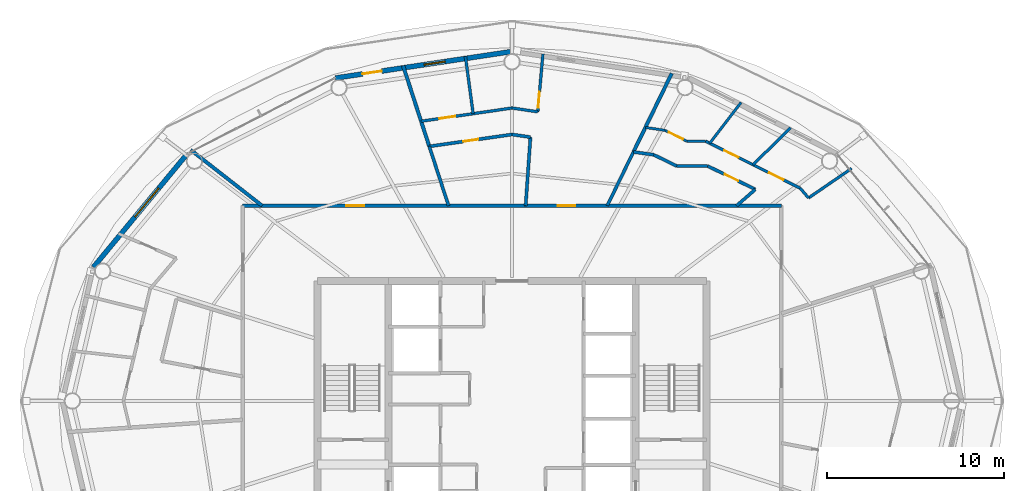
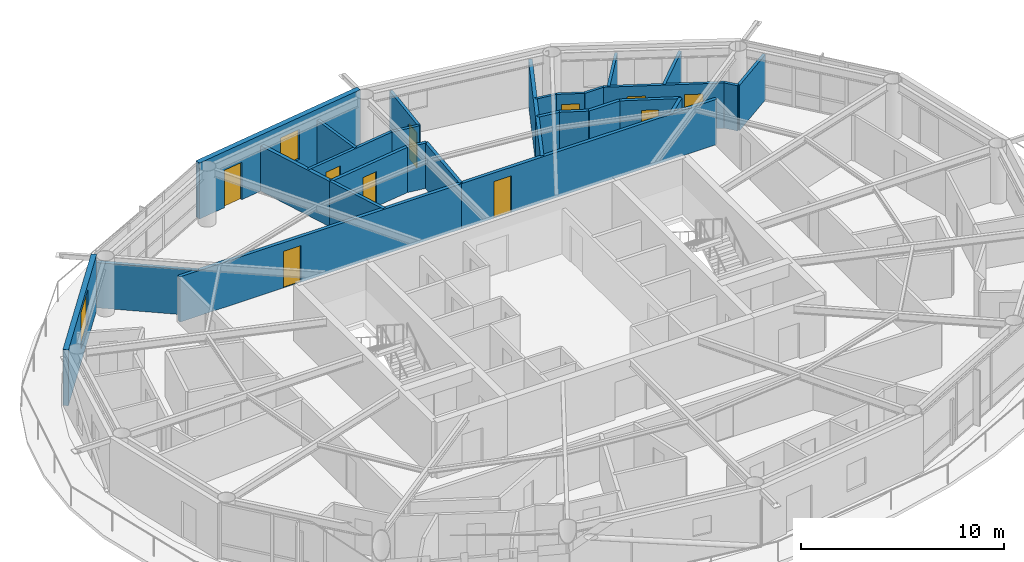
# One storey, part 19 of 23: 29 walls, 10 doors, 2 windows, 12 openings.
"""IFC4 building model written with IfcOpenShell, lengths in metres."""

from ifc_helpers import new_model, si_unit, direction, frame, frame_2d, origin, place, context, subcontext, project, spatial, rectangle, extrude, material, layer, layer_set, type_object, element, fill, save


model = new_model("IFC4")

# Units and contexts
model_context = context("Model", 3, precision=1e-05, world=origin(), true_north=direction((0.0, 1.0)))
body_context = subcontext(model_context, "Body", "Model", "MODEL_VIEW")
ifc_project = project(units=[si_unit("LENGTHUNIT", "METRE"), si_unit("AREAUNIT", "SQUARE_METRE"), si_unit("VOLUMEUNIT", "CUBIC_METRE"), si_unit("PLANEANGLEUNIT", "RADIAN"), si_unit("MASSUNIT", "GRAM", prefix="KILO")], contexts=[model_context])

# Site, building, storey
site_placement = place(None, origin())
site = spatial("IfcSite", under=ifc_project, at=site_placement, CompositionType="ELEMENT")
building_placement = place(site_placement, origin())
building = spatial("IfcBuilding", under=site, at=building_placement, Name="Sarneth Arch Tower", CompositionType="ELEMENT")
storey_placement = place(building_placement, frame((0.0, 0.0, 224.39990234375)))
storey = spatial("IfcBuildingStorey", under=building, at=storey_placement, Name="L57", CompositionType="ELEMENT", Elevation=224.39990234375)

# Wall, opening, door
ifc_material_1 = material(Name="Double steel-stud corridor fire wall", Category="steel")
ifc_layer_1 = layer(ifc_material_1, 0.18994140625)
ifc_layer_set_1 = layer_set([ifc_layer_1], Name="Double steel-stud corridor fire wall")
wall_type_1 = type_object("IfcWallType", Name="WALL-CORR-190", PredefinedType="PARTITIONING", material=ifc_layer_set_1)
wall_1_placement = place(storey_placement, frame((32.75, 53.050048828125, 0.0), z_axis=(0.0, 0.0, 1.0), x_axis=(1.0, 0.0, 0.0)))
wall_1 = element("IfcWall", 1, at=wall_1_placement, inside=storey, type_object=wall_type_1, Name="L57 Interior partition W-L57-TP-006", PredefinedType="PARTITIONING", context=body_context, shape_type="SweptSolid", body=[
    extrude(rectangle(XDim=16.0546875, YDim=0.18994140625, at=frame_2d((8.02734375, 0.0))), origin(), (0.0, 0.0, 1.0), 2.72021484375),
])
opening_1_placement = place(wall_1_placement, frame((5.8740234375, 0.0, 0.0)))
opening_1 = element("IfcOpeningElement", 2, at=opening_1_placement, cuts=wall_1, Name="Opening FD-08", PredefinedType="OPENING", context=body_context, shape_type="SweptSolid", body=[
    extrude(rectangle(XDim=1.0, YDim=2.199951171875, at=frame_2d((0.5, 1.10009765625))), frame((0.0, 0.10498046875, 0.0), z_axis=(0.0, -1.0, 0.0), x_axis=(1.0, 0.0, 0.0)), (0.0, 0.0, 1.0), 0.2099609375),
])
ifc_material_2 = material(Name="Hardwood timber acoustic fire door", Category="wood")
door_type_1 = type_object("IfcDoorType", Name="DR-FD60-1000", OperationType="SINGLE_SWING_LEFT", PredefinedType="DOOR", material=ifc_material_2)
door_1_placement = place(opening_1_placement, origin())
door_1 = element("IfcDoor", 3, at=door_1_placement, inside=storey, type_object=door_type_1, Name="L57 Interior door DR-L57-RAMN-03", OperationType="SINGLE_SWING_RIGHT", OverallHeight=2.199951171875, OverallWidth=1.0, PredefinedType="DOOR", context=body_context, shape_type="SweptSolid", body=[
    extrude(rectangle(XDim=1.0, YDim=2.199951171875, at=frame_2d((0.5, 1.10009765625))), frame((0.0, 0.02490234375, 0.0), z_axis=(0.0, -1.0, 0.0), x_axis=(1.0, 0.0, 0.0)), (0.0, 0.0, 1.0), 0.050048828125),
])
fill(opening_1, door_1)

wall_2_placement = place(storey_placement, frame((48.740478515625, 53.050048828125, 0.0), z_axis=(0.0, 0.0, 1.0), x_axis=(1.0, 0.0, 0.0)))
wall_2 = element("IfcWall", 4, at=wall_2_placement, inside=storey, type_object=wall_type_1, Name="L57 Interior partition W-L57-TP-003", PredefinedType="PARTITIONING", context=body_context, shape_type="SweptSolid", body=[
    extrude(rectangle(XDim=14.509521484375, YDim=0.18994140625, at=frame_2d((7.2548828125, 0.0))), origin(), (0.0, 0.0, 1.0), 2.72021484375),
])
opening_2_placement = place(wall_2_placement, frame((1.84228515625, 0.0, 0.0)))
opening_2 = element("IfcOpeningElement", 5, at=opening_2_placement, cuts=wall_2, Name="Opening FD-08", PredefinedType="OPENING", context=body_context, shape_type="SweptSolid", body=[
    extrude(rectangle(XDim=1.0, YDim=2.199951171875, at=frame_2d((0.5, 1.10009765625))), frame((0.0, 0.10498046875, 0.0), z_axis=(0.0, -1.0, 0.0), x_axis=(1.0, 0.0, 0.0)), (0.0, 0.0, 1.0), 0.2099609375),
])
door_2_placement = place(opening_2_placement, origin())
door_2 = element("IfcDoor", 6, at=door_2_placement, inside=storey, type_object=door_type_1, Name="L57 Interior door DR-L57-U2-ENT", OperationType="SINGLE_SWING_RIGHT", OverallHeight=2.199951171875, OverallWidth=1.0, PredefinedType="DOOR", context=body_context, shape_type="SweptSolid", body=[
    extrude(rectangle(XDim=1.0, YDim=2.199951171875, at=frame_2d((0.5, 1.10009765625))), frame((0.0, 0.02490234375, 0.0), z_axis=(0.0, -1.0, 0.0), x_axis=(1.0, 0.0, 0.0)), (0.0, 0.0, 1.0), 0.050048828125),
])
fill(opening_2, door_2)

# Wall, openings, door, window
ifc_material_3 = material(Name="Extruded terracotta rainscreen on Concrete C40/50 backing", Category="masonry")
ifc_layer_2 = layer(ifc_material_3, 0.280029296875)
ifc_layer_set_2 = layer_set([ifc_layer_2], Name="Extruded terracotta rainscreen on Concrete C40/50 backing")
wall_type_2 = type_object("IfcWallType", Name="WALL-EXT-TERRA-280", PredefinedType="SOLIDWALL", material=ifc_layer_set_2)
wall_3_placement = place(storey_placement, frame((48.0, 61.780029296875, 0.0), z_axis=(0.0, 0.0, 1.0), x_axis=(-0.988882522213, -0.148698881169, 0.0)))
wall_3 = element("IfcWall", 7, at=wall_3_placement, inside=storey, type_object=wall_type_2, Name="L57 Terracotta perimeter wall 05", PredefinedType="SOLIDWALL", context=body_context, shape_type="SweptSolid", body=[
    extrude(rectangle(XDim=10.125244140625, YDim=0.280029296875, at=frame_2d((5.0625, 0.0))), origin(), (0.0, 0.0, 1.0), 3.360107421875),
])
opening_3_placement = place(wall_3_placement, frame((3.832763671875, 0.0, 0.85009765625)))
opening_3 = element("IfcOpeningElement", 8, at=opening_3_placement, cuts=wall_3, Name="Opening W-09", PredefinedType="OPENING", context=body_context, shape_type="SweptSolid", body=[
    extrude(rectangle(XDim=1.199951171875, YDim=1.800048828125, at=frame_2d((0.60009765625, 0.89990234375))), frame((0.0, 0.14990234375, 0.0), z_axis=(0.0, -1.0, 0.0), x_axis=(1.0, 0.0, 0.0)), (0.0, 0.0, 1.0), 0.300048828125),
])
opening_4_placement = place(wall_3_placement, frame((7.45556640625, 0.0, 0.0)))
opening_4 = element("IfcOpeningElement", 9, at=opening_4_placement, cuts=wall_3, Name="Opening BD-3", PredefinedType="OPENING", context=body_context, shape_type="SweptSolid", body=[
    extrude(rectangle(XDim=1.10009765625, YDim=2.25, at=frame_2d((0.550048828125, 1.125))), frame((0.0, 0.14990234375, 0.0), z_axis=(0.0, -1.0, 0.0), x_axis=(1.0, 0.0, 0.0)), (0.0, 0.0, 1.0), 0.300048828125),
])
ifc_material_4 = material(Name="Thermally broken Aluminium 6063-T6 and laminated safety glass", Category="aluminium")
door_type_2 = type_object("IfcDoorType", Name="DR-BALC-GLZ-1100", OperationType="SINGLE_SWING_LEFT", PredefinedType="DOOR", material=ifc_material_4)
door_3_placement = place(opening_4_placement, origin())
door_3 = element("IfcDoor", 10, at=door_3_placement, inside=storey, type_object=door_type_2, Name="L57 Balcony glazed door 05", OperationType="SINGLE_SWING_LEFT", OverallHeight=2.25, OverallWidth=1.10009765625, PredefinedType="DOOR", context=body_context, shape_type="SweptSolid", body=[
    extrude(rectangle(XDim=1.10009765625, YDim=2.25, at=frame_2d((0.550048828125, 1.125))), frame((0.0, 0.02490234375, 0.0), z_axis=(0.0, -1.0, 0.0), x_axis=(1.0, 0.0, 0.0)), (0.0, 0.0, 1.0), 0.050048828125),
])
fill(opening_4, door_3)
ifc_material_5 = material(Name="Thermally broken Aluminium 6063-T6 and low-e laminated IGU", Category="aluminium")
window_type_1 = type_object("IfcWindowType", Name="WIN-TWR-1200x1800", PartitioningType="SINGLE_PANEL", PredefinedType="WINDOW", material=ifc_material_5)
window_1_placement = place(opening_3_placement, origin())
window_1 = element("IfcWindow", 11, at=window_1_placement, inside=storey, type_object=window_type_1, Name="L57 Exterior window 05A", OverallHeight=1.800048828125, OverallWidth=1.199951171875, PartitioningType="SINGLE_PANEL", PredefinedType="WINDOW", context=body_context, shape_type="SweptSolid", body=[
    extrude(rectangle(XDim=1.199951171875, YDim=1.800048828125, at=frame_2d((0.60009765625, 0.89990234375))), frame((0.0, 0.030029296875, 0.0), z_axis=(0.0, -1.0, 0.0), x_axis=(1.0, 0.0, 0.0)), (0.0, 0.0, 1.0), 0.06005859375),
])
fill(opening_3, window_1)

# Wall, opening, window
wall_4_placement = place(storey_placement, frame((29.617431640625, 55.986572265625, 0.0), z_axis=(0.0, 0.0, 1.0), x_axis=(-0.63761509934, -0.770355103243, 0.0)))
wall_4 = element("IfcWall", 12, at=wall_4_placement, inside=storey, type_object=wall_type_2, Name="L57 Terracotta perimeter wall 07", PredefinedType="SOLIDWALL", context=body_context, shape_type="SweptSolid", body=[
    extrude(rectangle(XDim=8.329833984375, YDim=0.280029296875, at=frame_2d((4.1650390625, 0.0))), origin(), (0.0, 0.0, 1.0), 3.360107421875),
])
opening_5_placement = place(wall_4_placement, frame((2.533203125, 0.0, 0.85009765625)))
opening_5 = element("IfcOpeningElement", 13, at=opening_5_placement, cuts=wall_4, Name="Opening W-03", PredefinedType="OPENING", context=body_context, shape_type="SweptSolid", body=[
    extrude(rectangle(XDim=2.10009765625, YDim=2.199951171875, at=frame_2d((1.050048828125, 1.10009765625))), frame((0.0, 0.14990234375, 0.0), z_axis=(0.0, -1.0, 0.0), x_axis=(1.0, 0.0, 0.0)), (0.0, 0.0, 1.0), 0.300048828125),
])
ifc_material_6 = material(Name="Thermally broken Aluminium 6063-T6 and low-e laminated IGU", Category="aluminium")
window_type_2 = type_object("IfcWindowType", Name="WIN-TWR-2100x2200", PartitioningType="DOUBLE_PANEL_VERTICAL", PredefinedType="WINDOW", material=ifc_material_6)
window_2_placement = place(opening_5_placement, origin())
window_2 = element("IfcWindow", 14, at=window_2_placement, inside=storey, type_object=window_type_2, Name="L57 Exterior window 07A", OverallHeight=2.199951171875, OverallWidth=2.10009765625, PartitioningType="SINGLE_PANEL", PredefinedType="WINDOW", context=body_context, shape_type="SweptSolid", body=[
    extrude(rectangle(XDim=2.10009765625, YDim=2.199951171875, at=frame_2d((1.050048828125, 1.10009765625))), frame((0.0, 0.030029296875, 0.0), z_axis=(0.0, -1.0, 0.0), x_axis=(1.0, 0.0, 0.0)), (0.0, 0.0, 1.0), 0.06005859375),
])
fill(opening_5, window_2)

# Wall, opening, door
ifc_material_7 = material(Name="Apartment internal stud partition", Category="gypsum")
ifc_layer_3 = layer(ifc_material_7, 0.139892578125)
ifc_layer_set_3 = layer_set([ifc_layer_3], Name="Apartment internal stud partition")
wall_type_3 = type_object("IfcWallType", Name="WALL-PART-140", PredefinedType="PARTITIONING", material=ifc_layer_set_3)
wall_5_placement = place(storey_placement, frame((56.65478515625, 57.31787109375, 0.0), z_axis=(0.0, 0.0, 1.0), x_axis=(0.895584310315, -0.444891833053, 0.0)))
wall_5 = element("IfcWall", 15, at=wall_5_placement, inside=storey, type_object=wall_type_3, Name="L57 Interior partition W-L57-TP-031", PredefinedType="PARTITIONING", context=body_context, shape_type="SweptSolid", body=[
    extrude(rectangle(XDim=1.388916015625, YDim=0.139892578125, at=frame_2d((0.6943359375, 0.0))), origin(), (0.0, 0.0, 1.0), 2.72021484375),
])
opening_6_placement = place(wall_5_placement, frame((0.244384765625, 0.0, 0.0)))
opening_6 = element("IfcOpeningElement", 16, at=opening_6_placement, cuts=wall_5, Name="Opening ID-01", PredefinedType="OPENING", context=body_context, shape_type="SweptSolid", body=[
    extrude(rectangle(XDim=0.89990234375, YDim=2.10009765625, at=frame_2d((0.449951171875, 1.050048828125))), frame((0.0, 0.079833984375, 0.0), z_axis=(0.0, -1.0, 0.0), x_axis=(1.0, 0.0, 0.0)), (0.0, 0.0, 1.0), 0.159912109375),
])
ifc_material_8 = material(Name="Engineered hardwood flush door", Category="wood")
door_type_3 = type_object("IfcDoorType", Name="DR-INT-900", OperationType="SINGLE_SWING_LEFT", PredefinedType="DOOR", material=ifc_material_8)
door_4_placement = place(opening_6_placement, origin())
door_4 = element("IfcDoor", 17, at=door_4_placement, inside=storey, type_object=door_type_3, Name="L57 Interior door DR-L57-U1-BED2", OperationType="SINGLE_SWING_RIGHT", OverallHeight=2.10009765625, OverallWidth=0.89990234375, PredefinedType="DOOR", context=body_context, shape_type="SweptSolid", body=[
    extrude(rectangle(XDim=0.89990234375, YDim=2.10009765625, at=frame_2d((0.449951171875, 1.050048828125))), frame((0.0, 0.02490234375, 0.0), z_axis=(0.0, -1.0, 0.0), x_axis=(1.0, 0.0, 0.0)), (0.0, 0.0, 1.0), 0.050048828125),
])
fill(opening_6, door_4)

# Walls
wall_6_placement = place(storey_placement, frame((55.5498046875, 57.47900390625, 0.0), z_axis=(0.0, 0.0, 1.0), x_axis=(0.989534281859, -0.144297973051, 0.0)))
element("IfcWall", 18, at=wall_6_placement, inside=storey, type_object=wall_type_3, Name="L57 Interior partition W-L57-TP-030", PredefinedType="PARTITIONING", context=body_context, shape_type="SweptSolid", body=[
    extrude(rectangle(XDim=1.11669921875, YDim=0.139892578125, at=frame_2d((0.558349609375, 0.0))), origin(), (0.0, 0.0, 1.0), 2.72021484375),
])
wall_7_placement = place(storey_placement, frame((57.898681640625, 56.699951171875, 0.0), z_axis=(0.0, 0.0, 1.0), x_axis=(1.0, 0.0, 0.0)))
element("IfcWall", 19, at=wall_7_placement, inside=storey, type_object=wall_type_3, Name="L57 Interior partition W-L57-TP-032", PredefinedType="PARTITIONING", context=body_context, shape_type="SweptSolid", body=[
    extrude(rectangle(XDim=1.065185546875, YDim=0.139892578125, at=frame_2d((0.53271484375, 0.0))), origin(), (0.0, 0.0, 1.0), 2.72021484375),
])
ifc_material_9 = material(Name="Acoustic gypsum stud partition", Category="gypsum")
ifc_layer_4 = layer(ifc_material_9, 0.14990234375)
ifc_layer_set_4 = layer_set([ifc_layer_4], Name="Acoustic gypsum stud partition")
wall_type_4 = type_object("IfcWallType", Name="WALL-PART-150", PredefinedType="PARTITIONING", material=ifc_layer_set_4)
wall_8_placement = place(storey_placement, frame((60.964111328125, 58.89501953125, 0.0), z_axis=(0.0, 0.0, 1.0), x_axis=(-0.608822468724, -0.793306499139, 0.0)))
element("IfcWall", 20, at=wall_8_placement, inside=storey, type_object=wall_type_4, Name="L57 Interior partition W-L57-TP-039", PredefinedType="PARTITIONING", context=body_context, shape_type="SweptSolid", body=[
    extrude(rectangle(XDim=2.91015625, YDim=0.14990234375, at=frame_2d((1.455078125, 0.0))), origin(), (0.0, 0.0, 1.0), 2.72021484375),
])

# Wall, opening, door
ifc_material_10 = material(Name="Kitchen wet service chase wall", Category="gypsum")
ifc_layer_5 = layer(ifc_material_10, 0.159912109375)
ifc_layer_set_5 = layer_set([ifc_layer_5], Name="Kitchen wet service chase wall")
wall_type_5 = type_object("IfcWallType", Name="WALL-PLUMB-160", PredefinedType="PLUMBINGWALL", material=ifc_layer_set_5)
wall_9_placement = place(storey_placement, frame((49.45849609375, 58.3671875, 0.0), z_axis=(0.0, 0.0, 1.0), x_axis=(0.088772560689, 0.996051922577, 0.0)))
wall_9 = element("IfcWall", 21, at=wall_9_placement, inside=storey, type_object=wall_type_5, Name="L57 Interior partition W-L57-TP-043", PredefinedType="PLUMBINGWALL", context=body_context, shape_type="SweptSolid", body=[
    extrude(rectangle(XDim=3.28369140625, YDim=0.159912109375, at=frame_2d((1.641845703125, 0.0))), origin(), (0.0, 0.0, 1.0), 2.72021484375),
])
opening_7_placement = place(wall_9_placement, frame((0.231689453125, 0.0, 0.0)))
opening_7 = element("IfcOpeningElement", 22, at=opening_7_placement, cuts=wall_9, Name="Opening ID-01", PredefinedType="OPENING", context=body_context, shape_type="SweptSolid", body=[
    extrude(rectangle(XDim=0.89990234375, YDim=2.10009765625, at=frame_2d((0.449951171875, 1.050048828125))), frame((0.0, 0.08984375, 0.0), z_axis=(0.0, -1.0, 0.0), x_axis=(1.0, 0.0, 0.0)), (0.0, 0.0, 1.0), 0.179931640625),
])
door_5_placement = place(opening_7_placement, origin())
door_5 = element("IfcDoor", 23, at=door_5_placement, inside=storey, type_object=door_type_3, Name="L57 Interior door DR-L57-U2-KIT", OperationType="SINGLE_SWING_LEFT", OverallHeight=2.10009765625, OverallWidth=0.89990234375, PredefinedType="DOOR", context=body_context, shape_type="SweptSolid", body=[
    extrude(rectangle(XDim=0.89990234375, YDim=2.10009765625, at=frame_2d((0.449951171875, 1.050048828125))), frame((0.0, 0.02490234375, 0.0), z_axis=(0.0, -1.0, 0.0), x_axis=(1.0, 0.0, 0.0)), (0.0, 0.0, 1.0), 0.050048828125),
])
fill(opening_7, door_5)

# Wall
wall_10_placement = place(storey_placement, frame((45.801025390625, 58.25927734375, 0.0), z_axis=(0.0, 0.0, 1.0), x_axis=(-0.13403859548, 0.990976112185, 0.0)))
element("IfcWall", 24, at=wall_10_placement, inside=storey, type_object=wall_type_5, Name="L57 Interior partition W-L57-TP-049", PredefinedType="PLUMBINGWALL", context=body_context, shape_type="SweptSolid", body=[
    extrude(rectangle(XDim=3.27490234375, YDim=0.159912109375, at=frame_2d((1.637451171875, 0.0))), origin(), (0.0, 0.0, 1.0), 2.72021484375),
])

# Wall, openings, doors
wall_11_placement = place(storey_placement, frame((58.964111328125, 56.7001953125, 0.0), z_axis=(0.0, 0.0, 1.0), x_axis=(0.895447007867, -0.445168121166, 0.0)))
wall_11 = element("IfcWall", 25, at=wall_11_placement, inside=storey, type_object=wall_type_5, Name="L57 Interior partition W-L57-TP-021", PredefinedType="PLUMBINGWALL", context=body_context, shape_type="SweptSolid", body=[
    extrude(rectangle(XDim=5.97119140625, YDim=0.159912109375, at=frame_2d((2.985595703125, 0.0))), origin(), (0.0, 0.0, 1.0), 2.72021484375),
])
opening_8_placement = place(wall_11_placement, frame((4.01318359375, 0.0, 0.0)))
opening_8 = element("IfcOpeningElement", 26, at=opening_8_placement, cuts=wall_11, Name="Opening ID-01", PredefinedType="OPENING", context=body_context, shape_type="SweptSolid", body=[
    extrude(rectangle(XDim=0.89990234375, YDim=2.10009765625, at=frame_2d((0.449951171875, 1.050048828125))), frame((0.0, 0.08984375, 0.0), z_axis=(0.0, -1.0, 0.0), x_axis=(1.0, 0.0, 0.0)), (0.0, 0.0, 1.0), 0.179931640625),
])
opening_9_placement = place(wall_11_placement, frame((1.1728515625, 0.0, 0.0)))
opening_9 = element("IfcOpeningElement", 27, at=opening_9_placement, cuts=wall_11, Name="Opening ID-01", PredefinedType="OPENING", context=body_context, shape_type="SweptSolid", body=[
    extrude(rectangle(XDim=0.89990234375, YDim=2.10009765625, at=frame_2d((0.449951171875, 1.050048828125))), frame((0.0, 0.08984375, 0.0), z_axis=(0.0, -1.0, 0.0), x_axis=(1.0, 0.0, 0.0)), (0.0, 0.0, 1.0), 0.179931640625),
])
door_6_placement = place(opening_8_placement, origin())
door_6 = element("IfcDoor", 28, at=door_6_placement, inside=storey, type_object=door_type_3, Name="L57 Interior door DR-L57-U1-KIT", OperationType="SINGLE_SWING_LEFT", OverallHeight=2.10009765625, OverallWidth=0.89990234375, PredefinedType="DOOR", context=body_context, shape_type="SweptSolid", body=[
    extrude(rectangle(XDim=0.89990234375, YDim=2.10009765625, at=frame_2d((0.449951171875, 1.050048828125))), frame((0.0, 0.02490234375, 0.0), z_axis=(0.0, -1.0, 0.0), x_axis=(1.0, 0.0, 0.0)), (0.0, 0.0, 1.0), 0.050048828125),
])
fill(opening_8, door_6)
door_7_placement = place(opening_9_placement, origin())
door_7 = element("IfcDoor", 29, at=door_7_placement, inside=storey, type_object=door_type_3, Name="L57 Interior door DR-L57-U1-BED1", OperationType="SINGLE_SWING_LEFT", OverallHeight=2.10009765625, OverallWidth=0.89990234375, PredefinedType="DOOR", context=body_context, shape_type="SweptSolid", body=[
    extrude(rectangle(XDim=0.89990234375, YDim=2.10009765625, at=frame_2d((0.449951171875, 1.050048828125))), frame((0.0, 0.02490234375, 0.0), z_axis=(0.0, -1.0, 0.0), x_axis=(1.0, 0.0, 0.0)), (0.0, 0.0, 1.0), 0.050048828125),
])
fill(opening_9, door_7)

# Wall, opening, door
wall_12_placement = place(storey_placement, frame((42.8564453125, 57.830078125, 0.0), z_axis=(0.0, 0.0, 1.0), x_axis=(0.989542480506, 0.144241739018, 0.0)))
wall_12 = element("IfcWall", 30, at=wall_12_placement, inside=storey, type_object=wall_type_5, Name="L57 Interior partition W-L57-TP-047", PredefinedType="PLUMBINGWALL", context=body_context, shape_type="SweptSolid", body=[
    extrude(rectangle(XDim=5.197998046875, YDim=0.159912109375, at=frame_2d((2.59912109375, 0.0))), origin(), (0.0, 0.0, 1.0), 2.72021484375),
])
opening_10_placement = place(wall_12_placement, frame((1.0537109375, 0.0, 0.0)))
opening_10 = element("IfcOpeningElement", 31, at=opening_10_placement, cuts=wall_12, Name="Opening ID-01", PredefinedType="OPENING", context=body_context, shape_type="SweptSolid", body=[
    extrude(rectangle(XDim=0.89990234375, YDim=2.10009765625, at=frame_2d((0.449951171875, 1.050048828125))), frame((0.0, 0.08984375, 0.0), z_axis=(0.0, -1.0, 0.0), x_axis=(1.0, 0.0, 0.0)), (0.0, 0.0, 1.0), 0.179931640625),
])
door_8_placement = place(opening_10_placement, origin())
door_8 = element("IfcDoor", 32, at=door_8_placement, inside=storey, type_object=door_type_3, Name="L57 Interior door DR-L57-U2-BED1", OperationType="SINGLE_SWING_LEFT", OverallHeight=2.10009765625, OverallWidth=0.89990234375, PredefinedType="DOOR", context=body_context, shape_type="SweptSolid", body=[
    extrude(rectangle(XDim=0.89990234375, YDim=2.10009765625, at=frame_2d((0.449951171875, 1.050048828125))), frame((0.0, 0.02490234375, 0.0), z_axis=(0.0, -1.0, 0.0), x_axis=(1.0, 0.0, 0.0)), (0.0, 0.0, 1.0), 0.050048828125),
])
fill(opening_10, door_8)

# Walls
wall_13_placement = place(storey_placement, frame((63.767333984375, 57.4541015625, 0.0), z_axis=(0.0, 0.0, 1.0), x_axis=(-0.714203003572, -0.699938618515, 0.0)))
element("IfcWall", 33, at=wall_13_placement, inside=storey, type_object=wall_type_5, Name="L57 Interior partition W-L57-TP-037", PredefinedType="PLUMBINGWALL", context=body_context, shape_type="SweptSolid", body=[
    extrude(rectangle(XDim=2.97802734375, YDim=0.159912109375, at=frame_2d((1.489013671875, 0.0))), origin(), (0.0, 0.0, 1.0), 2.72021484375),
])
wall_14_placement = place(storey_placement, frame((64.782958984375, 53.48876953125, 0.0), z_axis=(0.0, 0.0, 1.0), x_axis=(0.825165456639, 0.564891112666, 0.0)))
element("IfcWall", 34, at=wall_14_placement, inside=storey, type_object=wall_type_5, Name="L57 Interior partition W-L57-TP-023", PredefinedType="PLUMBINGWALL", context=body_context, shape_type="SweptSolid", body=[
    extrude(rectangle(XDim=2.95654296875, YDim=0.159912109375, at=frame_2d((1.478271484375, 0.0))), origin(), (0.0, 0.0, 1.0), 2.72021484375),
])
wall_15_placement = place(storey_placement, frame((48.0, 58.580078125, 0.0), z_axis=(0.0, 0.0, 1.0), x_axis=(0.989514247961, -0.144435290295, 0.0)))
element("IfcWall", 35, at=wall_15_placement, inside=storey, type_object=wall_type_5, Name="L57 Interior partition W-L57-TP-042", PredefinedType="PLUMBINGWALL", context=body_context, shape_type="SweptSolid", body=[
    extrude(rectangle(XDim=1.473876953125, YDim=0.159912109375, at=frame_2d((0.73681640625, 0.0))), origin(), (0.0, 0.0, 1.0), 2.72021484375),
])
wall_16_placement = place(storey_placement, frame((64.31103515625, 54.0419921875, 0.0), z_axis=(0.0, 0.0, 1.0), x_axis=(0.648992334632, -0.760794945823, 0.0)))
element("IfcWall", 36, at=wall_16_placement, inside=storey, type_object=wall_type_5, Name="L57 Interior partition W-L57-TP-022", PredefinedType="PLUMBINGWALL", context=body_context, shape_type="SweptSolid", body=[
    extrude(rectangle(XDim=0.72705078125, YDim=0.159912109375, at=frame_2d((0.363525390625, 0.0))), origin(), (0.0, 0.0, 1.0), 2.72021484375),
])

# Wall, opening, door
ifc_material_11 = material(Name="Moisture-resistant plumbing chase wall", Category="gypsum")
ifc_layer_6 = layer(ifc_material_11, 0.179931640625)
ifc_layer_set_6 = layer_set([ifc_layer_6], Name="Moisture-resistant plumbing chase wall")
wall_type_6 = type_object("IfcWallType", Name="WALL-PLUMB-180", PredefinedType="PLUMBINGWALL", material=ifc_layer_set_6)
wall_17_placement = place(storey_placement, frame((43.31787109375, 56.41015625, 0.0), z_axis=(0.0, 0.0, 1.0), x_axis=(0.989918499483, 0.141638145927, 0.0)))
wall_17 = element("IfcWall", 37, at=wall_17_placement, inside=storey, type_object=wall_type_6, Name="L57 Interior partition W-L57-TP-044", PredefinedType="PLUMBINGWALL", context=body_context, shape_type="SweptSolid", body=[
    extrude(rectangle(XDim=4.729736328125, YDim=0.179931640625, at=frame_2d((2.36474609375, 0.0))), origin(), (0.0, 0.0, 1.0), 2.72021484375),
])
opening_11_placement = place(wall_17_placement, frame((1.93994140625, 0.0, 0.0)))
opening_11 = element("IfcOpeningElement", 38, at=opening_11_placement, cuts=wall_17, Name="Opening ID-02", PredefinedType="OPENING", context=body_context, shape_type="SweptSolid", body=[
    extrude(rectangle(XDim=0.85009765625, YDim=2.10009765625, at=frame_2d((0.425048828125, 1.050048828125))), frame((0.0, 0.099853515625, 0.0), z_axis=(0.0, -1.0, 0.0), x_axis=(1.0, 0.0, 0.0)), (0.0, 0.0, 1.0), 0.199951171875),
])
ifc_material_12 = material(Name="Moisture-resistant bathroom timber door", Category="wood")
door_type_4 = type_object("IfcDoorType", Name="DR-INT-850", OperationType="SINGLE_SWING_RIGHT", PredefinedType="DOOR", material=ifc_material_12)
door_9_placement = place(opening_11_placement, origin())
door_9 = element("IfcDoor", 39, at=door_9_placement, inside=storey, type_object=door_type_4, Name="L57 Interior door DR-L57-U2-BATH", OperationType="SINGLE_SWING_RIGHT", OverallHeight=2.10009765625, OverallWidth=0.85009765625, PredefinedType="DOOR", context=body_context, shape_type="SweptSolid", body=[
    extrude(rectangle(XDim=0.85009765625, YDim=2.10009765625, at=frame_2d((0.425048828125, 1.050048828125))), frame((0.0, 0.02490234375, 0.0), z_axis=(0.0, -1.0, 0.0), x_axis=(1.0, 0.0, 0.0)), (0.0, 0.0, 1.0), 0.050048828125),
])
fill(opening_11, door_9)

# Walls
wall_18_placement = place(storey_placement, frame((49.044189453125, 56.9306640625, 0.0), z_axis=(0.0, 0.0, 1.0), x_axis=(-0.0697885329, -0.997561807948, 0.0)))
element("IfcWall", 40, at=wall_18_placement, inside=storey, type_object=wall_type_6, Name="L57 Interior partition W-L57-TP-046", PredefinedType="PLUMBINGWALL", context=body_context, shape_type="SweptSolid", body=[
    extrude(rectangle(XDim=3.89013671875, YDim=0.179931640625, at=frame_2d((1.945068359375, 0.0))), origin(), (0.0, 0.0, 1.0), 2.72021484375),
])
wall_19_placement = place(storey_placement, frame((44.40966796875, 53.050048828125, 0.0), z_axis=(0.0, 0.0, 1.0), x_axis=(-0.309025133622, 0.951053871655, 0.0)))
element("IfcWall", 41, at=wall_19_placement, inside=storey, type_object=wall_type_6, Name="L57 Interior partition W-L57-TP-050", PredefinedType="PLUMBINGWALL", context=body_context, shape_type="SweptSolid", body=[
    extrude(rectangle(XDim=3.532958984375, YDim=0.179931640625, at=frame_2d((1.7666015625, 0.0))), origin(), (0.0, 0.0, 1.0), 2.72021484375),
])
wall_20_placement = place(storey_placement, frame((54.889892578125, 56.126708984375, 0.0), z_axis=(0.0, 0.0, 1.0), x_axis=(-0.438347749683, -0.898805457453, 0.0)))
element("IfcWall", 42, at=wall_20_placement, inside=storey, type_object=wall_type_6, Name="L57 Interior partition W-L57-TP-038", PredefinedType="PLUMBINGWALL", context=body_context, shape_type="SweptSolid", body=[
    extrude(rectangle(XDim=3.423095703125, YDim=0.179931640625, at=frame_2d((1.71142578125, 0.0))), origin(), (0.0, 0.0, 1.0), 2.72021484375),
])

# Wall, opening, door
wall_21_placement = place(storey_placement, frame((59.069091796875, 55.300048828125, 0.0), z_axis=(0.0, 0.0, 1.0), x_axis=(0.897805130008, -0.440392947867, 0.0)))
wall_21 = element("IfcWall", 43, at=wall_21_placement, inside=storey, type_object=wall_type_6, Name="L57 Interior partition W-L57-TP-027", PredefinedType="PLUMBINGWALL", context=body_context, shape_type="SweptSolid", body=[
    extrude(rectangle(XDim=3.012451171875, YDim=0.179931640625, at=frame_2d((1.50634765625, 0.0))), origin(), (0.0, 0.0, 1.0), 2.72021484375),
])
opening_12_placement = place(wall_21_placement, frame((1.081298828125, 0.0, 0.0)))
opening_12 = element("IfcOpeningElement", 44, at=opening_12_placement, cuts=wall_21, Name="Opening ID-02", PredefinedType="OPENING", context=body_context, shape_type="SweptSolid", body=[
    extrude(rectangle(XDim=0.85009765625, YDim=2.10009765625, at=frame_2d((0.425048828125, 1.050048828125))), frame((0.0, 0.099853515625, 0.0), z_axis=(0.0, -1.0, 0.0), x_axis=(1.0, 0.0, 0.0)), (0.0, 0.0, 1.0), 0.199951171875),
])
door_10_placement = place(opening_12_placement, origin())
door_10 = element("IfcDoor", 45, at=door_10_placement, inside=storey, type_object=door_type_4, Name="L57 Interior door DR-L57-U1-BATH", OperationType="SINGLE_SWING_RIGHT", OverallHeight=2.10009765625, OverallWidth=0.85009765625, PredefinedType="DOOR", context=body_context, shape_type="SweptSolid", body=[
    extrude(rectangle(XDim=0.85009765625, YDim=2.10009765625, at=frame_2d((0.425048828125, 1.050048828125))), frame((0.0, 0.02490234375, 0.0), z_axis=(0.0, -1.0, 0.0), x_axis=(1.0, 0.0, 0.0)), (0.0, 0.0, 1.0), 0.050048828125),
])
fill(opening_12, door_10)

# Walls
wall_22_placement = place(storey_placement, frame((57.32080078125, 55.300048828125, 0.0), z_axis=(0.0, 0.0, 1.0), x_axis=(1.0, 0.0, 0.0)))
element("IfcWall", 46, at=wall_22_placement, inside=storey, type_object=wall_type_6, Name="L57 Interior partition W-L57-TP-026", PredefinedType="PLUMBINGWALL", context=body_context, shape_type="SweptSolid", body=[
    extrude(rectangle(XDim=1.748291015625, YDim=0.179931640625, at=frame_2d((0.8740234375, 0.0))), origin(), (0.0, 0.0, 1.0), 2.72021484375),
])
wall_23_placement = place(storey_placement, frame((56.02392578125, 55.93212890625, 0.0), z_axis=(0.0, 0.0, 1.0), x_axis=(0.898916394035, -0.438120207861, 0.0)))
element("IfcWall", 47, at=wall_23_placement, inside=storey, type_object=wall_type_6, Name="L57 Interior partition W-L57-TP-025", PredefinedType="PLUMBINGWALL", context=body_context, shape_type="SweptSolid", body=[
    extrude(rectangle(XDim=1.442626953125, YDim=0.179931640625, at=frame_2d((0.72119140625, 0.0))), origin(), (0.0, 0.0, 1.0), 2.72021484375),
])
wall_24_placement = place(storey_placement, frame((61.773681640625, 53.973388671875, 0.0), z_axis=(0.0, 0.0, 1.0), x_axis=(-0.7546578079, -0.656118581489, 0.0)))
element("IfcWall", 48, at=wall_24_placement, inside=storey, type_object=wall_type_6, Name="L57 Interior partition W-L57-TP-028", PredefinedType="PLUMBINGWALL", context=body_context, shape_type="SweptSolid", body=[
    extrude(rectangle(XDim=1.4072265625, YDim=0.179931640625, at=frame_2d((0.70361328125, 0.0))), origin(), (0.0, 0.0, 1.0), 2.72021484375),
])
wall_25_placement = place(storey_placement, frame((54.875244140625, 56.096435546875, 0.0), z_axis=(0.0, 0.0, 1.0), x_axis=(0.989924230083, -0.141598088596, 0.0)))
element("IfcWall", 49, at=wall_25_placement, inside=storey, type_object=wall_type_6, Name="L57 Interior partition W-L57-TP-024", PredefinedType="PLUMBINGWALL", context=body_context, shape_type="SweptSolid", body=[
    extrude(rectangle(XDim=1.160400390625, YDim=0.179931640625, at=frame_2d((0.580078125, 0.0))), origin(), (0.0, 0.0, 1.0), 2.72021484375),
])
wall_26_placement = place(storey_placement, frame((48.0, 57.080078125, 0.0), z_axis=(0.0, 0.0, 1.0), x_axis=(0.989917064499, -0.141648174766, 0.0)))
element("IfcWall", 50, at=wall_26_placement, inside=storey, type_object=wall_type_6, Name="L57 Interior partition W-L57-TP-045", PredefinedType="PLUMBINGWALL", context=body_context, shape_type="SweptSolid", body=[
    extrude(rectangle(XDim=1.054931640625, YDim=0.179931640625, at=frame_2d((0.52734375, 0.0))), origin(), (0.0, 0.0, 1.0), 2.72021484375),
])
ifc_material_13 = material(Name="Double steel-stud acoustic drywall", Category="steel")
ifc_layer_7 = layer(ifc_material_13, 0.199951171875)
ifc_layer_set_7 = layer_set([ifc_layer_7], Name="Double steel-stud acoustic drywall")
wall_type_7 = type_object("IfcWallType", Name="WALL-UNIT-200", PredefinedType="PARTITIONING", material=ifc_layer_set_7)
wall_27_placement = place(storey_placement, frame((29.81298828125, 56.208984375, 0.0), z_axis=(0.0, 0.0, 1.0), x_axis=(0.788043849094, -0.615619112687, 0.0)))
element("IfcWall", 51, at=wall_27_placement, inside=storey, type_object=wall_type_7, Name="L57 Interior partition W-L57-TP-052", PredefinedType="PARTITIONING", context=body_context, shape_type="SweptSolid", body=[
    extrude(rectangle(XDim=5.13134765625, YDim=0.199951171875, at=frame_2d((2.565673828125, 0.0))), origin(), (0.0, 0.0, 1.0), 2.72021484375),
])
wall_28_placement = place(storey_placement, frame((57.040771484375, 60.536376953125, 0.0), z_axis=(0.0, 0.0, 1.0), x_axis=(-0.438355931311, -0.898801467224, 0.0)))
element("IfcWall", 52, at=wall_28_placement, inside=storey, type_object=wall_type_7, Name="L57 Interior partition W-L57-TP-040", PredefinedType="PARTITIONING", context=body_context, shape_type="SweptSolid", body=[
    extrude(rectangle(XDim=4.9736328125, YDim=0.199951171875, at=frame_2d((2.48681640625, 0.0))), origin(), (0.0, 0.0, 1.0), 2.72021484375),
])
wall_29_placement = place(storey_placement, frame((43.31787109375, 56.41015625, 0.0), z_axis=(0.0, 0.0, 1.0), x_axis=(-0.309012424199, 0.951058001223, 0.0)))
element("IfcWall", 53, at=wall_29_placement, inside=storey, type_object=wall_type_7, Name="L57 Interior partition W-L57-TP-051", PredefinedType="PARTITIONING", context=body_context, shape_type="SweptSolid", body=[
    extrude(rectangle(XDim=4.79736328125, YDim=0.199951171875, at=frame_2d((2.398681640625, 0.0))), origin(), (0.0, 0.0, 1.0), 2.72021484375),
])

save(model, "model.ifc")
